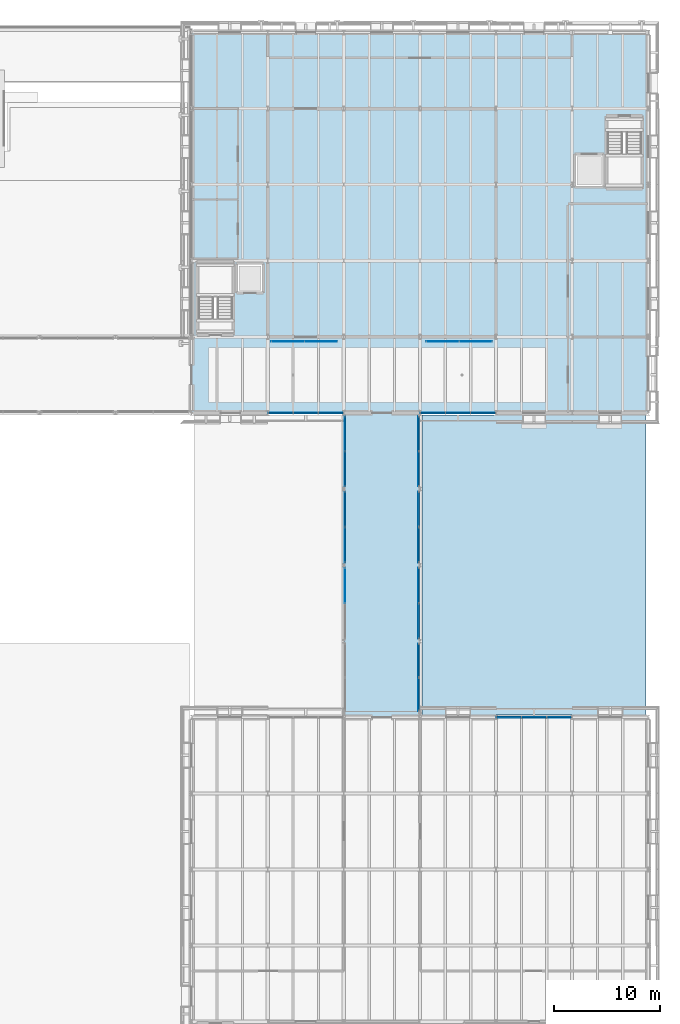
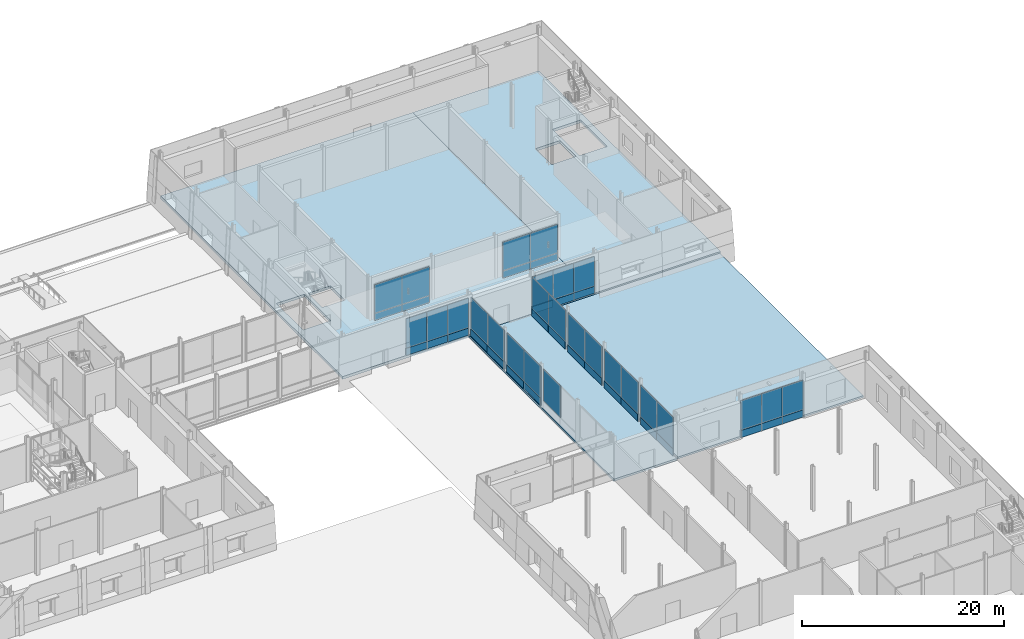
# One storey, part 63 of 120: 51 plates, 4 slabs, 12 elements without a shape of their own.
"""IFC4 building model written with IfcOpenShell, lengths in metres."""

from ifc_helpers import new_model, si_unit, direction, frame, origin, origin_2d, place, context, subcontext, project, spatial, polyline, rectangle, outline, extrude, material, layer, layer_set, type_object, element, aggregate, save


model = new_model("IFC4")

# Units and contexts
model_context = context("Model", 3, precision=1e-05, world=origin(), true_north=direction((0.0, 1.0)))
body_context = subcontext(model_context, "Body", "Model", "MODEL_VIEW")
ifc_project = project(units=[si_unit("LENGTHUNIT", "METRE"), si_unit("AREAUNIT", "SQUARE_METRE"), si_unit("VOLUMEUNIT", "CUBIC_METRE"), si_unit("PLANEANGLEUNIT", "RADIAN"), si_unit("MASSUNIT", "GRAM", prefix="KILO")], contexts=[model_context])

# Site, building, storey
site_placement = place(None, origin())
site = spatial("IfcSite", under=ifc_project, at=site_placement, CompositionType="ELEMENT")
building_placement = place(site_placement, origin())
building = spatial("IfcBuilding", under=site, at=building_placement, Name="Narikvali Park Central Library", CompositionType="ELEMENT")
storey_placement = place(building_placement, origin())
storey = spatial("IfcBuildingStorey", under=building, at=storey_placement, Name="L00", CompositionType="ELEMENT", Elevation=0.0)

# Slab
ifc_material_1 = material(Name="Concrete C40/50", Category="concrete")
ifc_layer_1 = layer(ifc_material_1, 0.25, Name="Concrete C40/50")
ifc_layer_set_1 = layer_set([ifc_layer_1], Name="Concrete C40/50")
slab_type_1 = type_object("IfcSlabType", Name="Bridge Sliding Deck Slab 250", PredefinedType="FLOOR", material=ifc_layer_set_1)
slab_1_placement = place(storey_placement, frame((0.0, 0.0, -0.25)))
element("IfcSlab", 1, at=slab_1_placement, inside=storey, type_object=slab_type_1, Name="BRG-4 L00 Covered Bridge Deck", PredefinedType="FLOOR", context=body_context, shape_type="SweptSolid", body=[
    extrude(outline(polyline([(136.800048828125, 50.43994140625), (144.0, 50.43994140625), (144.0, 79.159912109375), (136.800048828125, 79.159912109375), (136.800048828125, 50.43994140625)])), origin(), (0.0, 0.0, 1.0), 0.25),
])

# Curtain wall, plate
ifc_material_2 = material(Name="Anodised Bronze Aluminium", Category="aluminium")
ifc_layer_2 = layer(ifc_material_2, 0.219970703125, Name="Anodised Bronze Aluminium")
ifc_layer_set_2 = layer_set([ifc_layer_2], Name="Anodised Bronze Aluminium")
curtain_wall_type_1 = type_object("IfcCurtainWallType", Name="Atrium Tall Curtain Wall System", PredefinedType="NOTDEFINED", material=ifc_layer_set_2)
curtain_wall_1_placement = place(storey_placement, origin())
curtain_wall_1 = element("IfcCurtainWall", 2, at=curtain_wall_1_placement, inside=storey, type_object=curtain_wall_type_1, Name="Atrium Tall Curtain Wall System CW-V3-L00-S-02", PredefinedType="NOTDEFINED")
ifc_material_3 = material(Name="Anodised Bronze Acoustic Spandrel Cassette")
ifc_layer_3 = layer(ifc_material_3, 0.1650390625, Name="Anodised Bronze Acoustic Spandrel Cassette")
ifc_layer_set_3 = layer_set([ifc_layer_3], Name="Anodised Bronze Acoustic Spandrel Cassette")
plate_type_1 = type_object("IfcPlateType", Name="Curtain Wall Acoustic Plenum Louvre Cassette 165", PredefinedType="CURTAIN_PANEL", material=ifc_layer_set_3)
plate_1_placement = place(storey_placement, frame((135.57470703125, 79.199951171875, 0.03515625), z_axis=(0.0, 0.0, 1.0), x_axis=(1.0, 0.0, 0.0)))
plate_1 = element("IfcPlate", 3, at=plate_1_placement, type_object=plate_type_1, Name="CW-V3-L00-S-02 Panel 02-0", PredefinedType="CURTAIN_PANEL", context=body_context, shape_type="SweptSolid", body=[
    extrude(rectangle(XDim=2.36474609375, YDim=0.1650390625, at=origin_2d()), origin(), (0.0, 0.0, 1.0), 0.860107421875),
])

curtain_wall_2_placement = place(storey_placement, origin())
curtain_wall_2 = element("IfcCurtainWall", 4, at=curtain_wall_2_placement, inside=storey, type_object=curtain_wall_type_1, Name="Atrium Tall Curtain Wall System CW-V3-L00-S-04", PredefinedType="NOTDEFINED")
plate_2_placement = place(storey_placement, frame((147.60009765625, 79.199951171875, 0.03515625), z_axis=(0.0, 0.0, 1.0), x_axis=(1.0, 0.0, 0.0)))
plate_2 = element("IfcPlate", 5, at=plate_2_placement, type_object=plate_type_1, Name="CW-V3-L00-S-04 Panel 01-0", PredefinedType="CURTAIN_PANEL", context=body_context, shape_type="SweptSolid", body=[
    extrude(rectangle(XDim=2.36474609375, YDim=0.1650390625, at=origin_2d()), origin(), (0.0, 0.0, 1.0), 0.860107421875),
])

ifc_layer_4 = layer(ifc_material_2, 0.219970703125, Name="Anodised Bronze Aluminium")
ifc_layer_set_4 = layer_set([ifc_layer_4], Name="Anodised Bronze Aluminium")
curtain_wall_type_2 = type_object("IfcCurtainWallType", Name="Park Cafe Colonnade Glazing System", PredefinedType="NOTDEFINED", material=ifc_layer_set_4)
curtain_wall_3_placement = place(storey_placement, origin())
curtain_wall_3 = element("IfcCurtainWall", 6, at=curtain_wall_3_placement, inside=storey, type_object=curtain_wall_type_2, Name="Park Cafe Colonnade Glazing System CW-V6-L00-N-02", PredefinedType="NOTDEFINED")
plate_3_placement = place(storey_placement, frame((152.42529296875, 50.39990234375, 0.03515625), z_axis=(0.0, 0.0, 1.0), x_axis=(-1.0, 0.0, 0.0)))
plate_3 = element("IfcPlate", 7, at=plate_3_placement, type_object=plate_type_1, Name="CW-V6-L00-N-02 Panel 02-0", PredefinedType="CURTAIN_PANEL", context=body_context, shape_type="SweptSolid", body=[
    extrude(rectangle(XDim=2.36474609375, YDim=0.1650390625, at=origin_2d()), origin(), (0.0, 0.0, 1.0), 0.860107421875),
])

ifc_layer_5 = layer(ifc_material_2, 0.219970703125, Name="Anodised Bronze Aluminium")
ifc_layer_set_5 = layer_set([ifc_layer_5], Name="Anodised Bronze Aluminium")
curtain_wall_type_3 = type_object("IfcCurtainWallType", Name="Bridge Covered Passage Glazing System", PredefinedType="NOTDEFINED", material=ifc_layer_set_5)
curtain_wall_4_placement = place(storey_placement, origin())
curtain_wall_4 = element("IfcCurtainWall", 8, at=curtain_wall_4_placement, inside=storey, type_object=curtain_wall_type_3, Name="Bridge Covered Passage Glazing System CW-BRG-4-L00-E2", PredefinedType="NOTDEFINED")
plate_4_placement = place(storey_placement, frame((143.8798828125, 59.52001953125, 0.03515625), z_axis=(0.0, 0.0, 1.0), x_axis=(0.0, 1.0, 0.0)))
plate_4 = element("IfcPlate", 9, at=plate_4_placement, type_object=plate_type_1, Name="CW-BRG-4-L00-E2 Panel 00-0", PredefinedType="CURTAIN_PANEL", context=body_context, shape_type="SweptSolid", body=[
    extrude(rectangle(XDim=3.35009765625, YDim=0.1650390625, at=origin_2d()), origin(), (0.0, 0.0, 1.0), 0.860107421875),
])

curtain_wall_5_placement = place(storey_placement, origin())
curtain_wall_5 = element("IfcCurtainWall", 10, at=curtain_wall_5_placement, inside=storey, type_object=curtain_wall_type_3, Name="Bridge Covered Passage Glazing System CW-BRG-4-L00-E3", PredefinedType="NOTDEFINED")
plate_5_placement = place(storey_placement, frame((143.8798828125, 70.080078125, 0.03515625), z_axis=(0.0, 0.0, 1.0), x_axis=(0.0, 1.0, 0.0)))
plate_5 = element("IfcPlate", 11, at=plate_5_placement, type_object=plate_type_1, Name="CW-BRG-4-L00-E3 Panel 01-0", PredefinedType="CURTAIN_PANEL", context=body_context, shape_type="SweptSolid", body=[
    extrude(rectangle(XDim=3.35009765625, YDim=0.1650390625, at=origin_2d()), origin(), (0.0, 0.0, 1.0), 0.860107421875),
])

curtain_wall_6_placement = place(storey_placement, origin())
curtain_wall_6 = element("IfcCurtainWall", 12, at=curtain_wall_6_placement, inside=storey, type_object=curtain_wall_type_3, Name="Bridge Covered Passage Glazing System CW-BRG-4-L00-W4", PredefinedType="NOTDEFINED")
plate_6_placement = place(storey_placement, frame((136.919921875, 73.905029296875, 0.03515625), z_axis=(0.0, 0.0, 1.0), x_axis=(0.0, 1.0, 0.0)))
plate_6 = element("IfcPlate", 13, at=plate_6_placement, type_object=plate_type_1, Name="CW-BRG-4-L00-W4 Panel 00-0", PredefinedType="CURTAIN_PANEL", context=body_context, shape_type="SweptSolid", body=[
    extrude(rectangle(XDim=3.320068359375, YDim=0.1650390625, at=origin_2d()), origin(), (0.0, 0.0, 1.0), 0.860107421875),
])

# Plate
ifc_material_4 = material(Name="Heavy Acoustic Laminated Clerestory Glazing", Category="glass")
ifc_layer_6 = layer(ifc_material_4, 0.06396484375, Name="Heavy Acoustic Laminated Clerestory Glazing")
ifc_layer_set_6 = layer_set([ifc_layer_6], Name="Heavy Acoustic Laminated Clerestory Glazing")
plate_type_2 = type_object("IfcPlateType", Name="Curtain Wall Clerestory Laminated Acoustic Glass 64", PredefinedType="CURTAIN_PANEL", material=ifc_layer_set_6)
plate_7_placement = place(storey_placement, frame((145.225341796875, 79.199951171875, 0.905029296875), z_axis=(0.0, 0.0, 1.0), x_axis=(1.0, 0.0, 0.0)))
plate_7 = element("IfcPlate", 14, at=plate_7_placement, type_object=plate_type_2, Name="CW-V3-L00-S-04 Panel 00-1", PredefinedType="CURTAIN_PANEL", context=body_context, shape_type="SweptSolid", body=[
    extrude(rectangle(XDim=2.36474609375, YDim=0.06396484375, at=origin_2d()), origin(), (0.0, 0.0, 1.0), 3.56005859375),
])

plate_8_placement = place(storey_placement, frame((147.60009765625, 79.199951171875, 0.905029296875), z_axis=(0.0, 0.0, 1.0), x_axis=(1.0, 0.0, 0.0)))
plate_8 = element("IfcPlate", 15, at=plate_8_placement, type_object=plate_type_2, Name="CW-V3-L00-S-04 Panel 01-1", PredefinedType="CURTAIN_PANEL", context=body_context, shape_type="SweptSolid", body=[
    extrude(rectangle(XDim=2.36474609375, YDim=0.06396484375, at=origin_2d()), origin(), (0.0, 0.0, 1.0), 3.56005859375),
])

plate_9_placement = place(storey_placement, frame((149.974609375, 79.199951171875, 0.905029296875), z_axis=(0.0, 0.0, 1.0), x_axis=(1.0, 0.0, 0.0)))
plate_9 = element("IfcPlate", 16, at=plate_9_placement, type_object=plate_type_2, Name="CW-V3-L00-S-04 Panel 02-1", PredefinedType="CURTAIN_PANEL", context=body_context, shape_type="SweptSolid", body=[
    extrude(rectangle(XDim=2.36474609375, YDim=0.06396484375, at=origin_2d()), origin(), (0.0, 0.0, 1.0), 3.56005859375),
])

# Curtain wall, plate
curtain_wall_7_placement = place(storey_placement, origin())
curtain_wall_7 = element("IfcCurtainWall", 17, at=curtain_wall_7_placement, inside=storey, type_object=curtain_wall_type_3, Name="Bridge Covered Passage Glazing System CW-BRG-4-L00-W2", PredefinedType="NOTDEFINED")
plate_10_placement = place(storey_placement, frame((136.919921875, 62.8798828125, 0.905029296875), z_axis=(0.0, 0.0, 1.0), x_axis=(0.0, 1.0, 0.0)))
plate_10 = element("IfcPlate", 18, at=plate_10_placement, type_object=plate_type_2, Name="CW-BRG-4-L00-W2 Panel 01-1", PredefinedType="CURTAIN_PANEL", context=body_context, shape_type="SweptSolid", body=[
    extrude(rectangle(XDim=3.35009765625, YDim=0.06396484375, at=origin_2d()), origin(), (0.0, 0.0, 1.0), 3.81005859375),
])
aggregate(curtain_wall_7, [plate_10])

# Plate
plate_11_placement = place(storey_placement, frame((143.8798828125, 66.719970703125, 0.905029296875), z_axis=(0.0, 0.0, 1.0), x_axis=(0.0, 1.0, 0.0)))
plate_11 = element("IfcPlate", 19, at=plate_11_placement, type_object=plate_type_2, Name="CW-BRG-4-L00-E3 Panel 00-1", PredefinedType="CURTAIN_PANEL", context=body_context, shape_type="SweptSolid", body=[
    extrude(rectangle(XDim=3.35009765625, YDim=0.06396484375, at=origin_2d()), origin(), (0.0, 0.0, 1.0), 3.81005859375),
])

plate_12_placement = place(storey_placement, frame((143.8798828125, 70.080078125, 0.905029296875), z_axis=(0.0, 0.0, 1.0), x_axis=(0.0, 1.0, 0.0)))
plate_12 = element("IfcPlate", 20, at=plate_12_placement, type_object=plate_type_2, Name="CW-BRG-4-L00-E3 Panel 01-1", PredefinedType="CURTAIN_PANEL", context=body_context, shape_type="SweptSolid", body=[
    extrude(rectangle(XDim=3.35009765625, YDim=0.06396484375, at=origin_2d()), origin(), (0.0, 0.0, 1.0), 3.81005859375),
])

# Curtain wall, plates
curtain_wall_8_placement = place(storey_placement, origin())
curtain_wall_8 = element("IfcCurtainWall", 21, at=curtain_wall_8_placement, inside=storey, type_object=curtain_wall_type_1, Name="Atrium Tall Curtain Wall System CW-GAL-V3-L00-FOY-N1", PredefinedType="NOTDEFINED")
plate_13_placement = place(storey_placement, frame((131.512451171875, 85.949951171875, 0.905029296875), z_axis=(0.0, 0.0, 1.0), x_axis=(1.0, 0.0, 0.0)))
plate_13 = element("IfcPlate", 22, at=plate_13_placement, type_object=plate_type_2, Name="CW-GAL-V3-L00-FOY-N1 Panel 00-1", PredefinedType="CURTAIN_PANEL", context=body_context, shape_type="SweptSolid", body=[
    extrude(rectangle(XDim=3.114990234375, YDim=0.06396484375, at=origin_2d()), origin(), (0.0, 0.0, 1.0), 3.4599609375),
])
plate_14_placement = place(storey_placement, frame((134.637451171875, 85.949951171875, 0.905029296875), z_axis=(0.0, 0.0, 1.0), x_axis=(1.0, 0.0, 0.0)))
plate_14 = element("IfcPlate", 23, at=plate_14_placement, type_object=plate_type_2, Name="CW-GAL-V3-L00-FOY-N1 Panel 01-1", PredefinedType="CURTAIN_PANEL", context=body_context, shape_type="SweptSolid", body=[
    extrude(rectangle(XDim=3.114990234375, YDim=0.06396484375, at=origin_2d()), origin(), (0.0, 0.0, 1.0), 3.4599609375),
])

curtain_wall_9_placement = place(storey_placement, origin())
curtain_wall_9 = element("IfcCurtainWall", 24, at=curtain_wall_9_placement, inside=storey, type_object=curtain_wall_type_1, Name="Atrium Tall Curtain Wall System CW-GAL-V3-L00-FOY-N2", PredefinedType="NOTDEFINED")
plate_15_placement = place(storey_placement, frame((146.16259765625, 85.949951171875, 0.03515625), z_axis=(0.0, 0.0, 1.0), x_axis=(1.0, 0.0, 0.0)))
plate_15 = element("IfcPlate", 25, at=plate_15_placement, type_object=plate_type_2, Name="CW-GAL-V3-L00-FOY-N2 Panel 00-0", PredefinedType="CURTAIN_PANEL", context=body_context, shape_type="SweptSolid", body=[
    extrude(rectangle(XDim=3.114990234375, YDim=0.06396484375, at=origin_2d()), origin(), (0.0, 0.0, 1.0), 0.860107421875),
])
plate_16_placement = place(storey_placement, frame((149.28759765625, 85.949951171875, 0.03515625), z_axis=(0.0, 0.0, 1.0), x_axis=(1.0, 0.0, 0.0)))
plate_16 = element("IfcPlate", 26, at=plate_16_placement, type_object=plate_type_2, Name="CW-GAL-V3-L00-FOY-N2 Panel 01-0", PredefinedType="CURTAIN_PANEL", context=body_context, shape_type="SweptSolid", body=[
    extrude(rectangle(XDim=3.114990234375, YDim=0.06396484375, at=origin_2d()), origin(), (0.0, 0.0, 1.0), 0.860107421875),
])

# Plate
ifc_material_5 = material(Name="Double Low-E Tempered Vision Glazing", Category="glass")
ifc_layer_7 = layer(ifc_material_5, 0.035888671875, Name="Double Low-E Tempered Vision Glazing")
ifc_layer_set_7 = layer_set([ifc_layer_7], Name="Double Low-E Tempered Vision Glazing")
plate_type_3 = type_object("IfcPlateType", Name="Curtain Wall Double Low-E Vision Glazing 36", PredefinedType="CURTAIN_PANEL", material=ifc_layer_set_7)
plate_17_placement = place(storey_placement, frame((143.8798828125, 59.52001953125, 0.905029296875), z_axis=(0.0, 0.0, 1.0), x_axis=(0.0, 1.0, 0.0)))
plate_17 = element("IfcPlate", 27, at=plate_17_placement, type_object=plate_type_3, Name="CW-BRG-4-L00-E2 Panel 00-1", PredefinedType="CURTAIN_PANEL", context=body_context, shape_type="SweptSolid", body=[
    extrude(rectangle(XDim=3.35009765625, YDim=0.035888671875, at=origin_2d()), origin(), (0.0, 0.0, 1.0), 3.81005859375),
])

plate_18_placement = place(storey_placement, frame((143.8798828125, 62.8798828125, 0.905029296875), z_axis=(0.0, 0.0, 1.0), x_axis=(0.0, 1.0, 0.0)))
plate_18 = element("IfcPlate", 28, at=plate_18_placement, type_object=plate_type_3, Name="CW-BRG-4-L00-E2 Panel 01-1", PredefinedType="CURTAIN_PANEL", context=body_context, shape_type="SweptSolid", body=[
    extrude(rectangle(XDim=3.35009765625, YDim=0.035888671875, at=origin_2d()), origin(), (0.0, 0.0, 1.0), 3.81005859375),
])

plate_19_placement = place(storey_placement, frame((136.919921875, 73.905029296875, 0.905029296875), z_axis=(0.0, 0.0, 1.0), x_axis=(0.0, 1.0, 0.0)))
plate_19 = element("IfcPlate", 29, at=plate_19_placement, type_object=plate_type_3, Name="CW-BRG-4-L00-W4 Panel 00-1", PredefinedType="CURTAIN_PANEL", context=body_context, shape_type="SweptSolid", body=[
    extrude(rectangle(XDim=3.320068359375, YDim=0.035888671875, at=origin_2d()), origin(), (0.0, 0.0, 1.0), 3.81005859375),
])

plate_20_placement = place(storey_placement, frame((136.919921875, 77.235107421875, 0.905029296875), z_axis=(0.0, 0.0, 1.0), x_axis=(0.0, 1.0, 0.0)))
plate_20 = element("IfcPlate", 30, at=plate_20_placement, type_object=plate_type_3, Name="CW-BRG-4-L00-W4 Panel 01-1", PredefinedType="CURTAIN_PANEL", context=body_context, shape_type="SweptSolid", body=[
    extrude(rectangle(XDim=3.320068359375, YDim=0.035888671875, at=origin_2d()), origin(), (0.0, 0.0, 1.0), 3.81005859375),
])

plate_21_placement = place(storey_placement, frame((146.16259765625, 85.949951171875, 0.905029296875), z_axis=(0.0, 0.0, 1.0), x_axis=(1.0, 0.0, 0.0)))
plate_21 = element("IfcPlate", 31, at=plate_21_placement, type_object=plate_type_3, Name="CW-GAL-V3-L00-FOY-N2 Panel 00-1", PredefinedType="CURTAIN_PANEL", context=body_context, shape_type="SweptSolid", body=[
    extrude(rectangle(XDim=3.114990234375, YDim=0.035888671875, at=origin_2d()), origin(), (0.0, 0.0, 1.0), 3.4599609375),
])

plate_22_placement = place(storey_placement, frame((149.28759765625, 85.949951171875, 0.905029296875), z_axis=(0.0, 0.0, 1.0), x_axis=(1.0, 0.0, 0.0)))
plate_22 = element("IfcPlate", 32, at=plate_22_placement, type_object=plate_type_3, Name="CW-GAL-V3-L00-FOY-N2 Panel 01-1", PredefinedType="CURTAIN_PANEL", context=body_context, shape_type="SweptSolid", body=[
    extrude(rectangle(XDim=3.114990234375, YDim=0.035888671875, at=origin_2d()), origin(), (0.0, 0.0, 1.0), 3.4599609375),
])

aggregate(curtain_wall_9, [plate_15, plate_21, plate_16, plate_22])

ifc_material_6 = material(Name="Anodised Bronze Insulated Spandrel Cassette")
ifc_layer_8 = layer(ifc_material_6, 0.110107421875, Name="Anodised Bronze Insulated Spandrel Cassette")
ifc_layer_set_8 = layer_set([ifc_layer_8], Name="Anodised Bronze Insulated Spandrel Cassette")
plate_type_4 = type_object("IfcPlateType", Name="Curtain Wall Insulated Bronze Spandrel Cassette 110", PredefinedType="CURTAIN_PANEL", material=ifc_layer_set_8)
plate_23_placement = place(storey_placement, frame((130.8251953125, 79.199951171875, 0.03515625), z_axis=(0.0, 0.0, 1.0), x_axis=(1.0, 0.0, 0.0)))
plate_23 = element("IfcPlate", 33, at=plate_23_placement, type_object=plate_type_4, Name="CW-V3-L00-S-02 Panel 00-0", PredefinedType="CURTAIN_PANEL", context=body_context, shape_type="SweptSolid", body=[
    extrude(rectangle(XDim=2.36474609375, YDim=0.110107421875, at=origin_2d()), origin(), (0.0, 0.0, 1.0), 0.860107421875),
])

plate_24_placement = place(storey_placement, frame((149.974609375, 79.199951171875, 0.03515625), z_axis=(0.0, 0.0, 1.0), x_axis=(1.0, 0.0, 0.0)))
plate_24 = element("IfcPlate", 34, at=plate_24_placement, type_object=plate_type_4, Name="CW-V3-L00-S-04 Panel 02-0", PredefinedType="CURTAIN_PANEL", context=body_context, shape_type="SweptSolid", body=[
    extrude(rectangle(XDim=2.36474609375, YDim=0.110107421875, at=origin_2d()), origin(), (0.0, 0.0, 1.0), 0.860107421875),
])

plate_25_placement = place(storey_placement, frame((157.1748046875, 50.39990234375, 0.03515625), z_axis=(0.0, 0.0, 1.0), x_axis=(-1.0, 0.0, 0.0)))
plate_25 = element("IfcPlate", 35, at=plate_25_placement, type_object=plate_type_4, Name="CW-V6-L00-N-02 Panel 00-0", PredefinedType="CURTAIN_PANEL", context=body_context, shape_type="SweptSolid", body=[
    extrude(rectangle(XDim=2.36474609375, YDim=0.110107421875, at=origin_2d()), origin(), (0.0, 0.0, 1.0), 0.860107421875),
])

# Curtain wall, plate
curtain_wall_10_placement = place(storey_placement, origin())
curtain_wall_10 = element("IfcCurtainWall", 36, at=curtain_wall_10_placement, inside=storey, type_object=curtain_wall_type_3, Name="Bridge Covered Passage Glazing System CW-BRG-4-L00-E1", PredefinedType="NOTDEFINED")
plate_26_placement = place(storey_placement, frame((143.8798828125, 52.552490234375, 0.03515625), z_axis=(0.0, 0.0, 1.0), x_axis=(0.0, 1.0, 0.0)))
plate_26 = element("IfcPlate", 37, at=plate_26_placement, type_object=plate_type_4, Name="CW-BRG-4-L00-E1 Panel 00-0", PredefinedType="CURTAIN_PANEL", context=body_context, shape_type="SweptSolid", body=[
    extrude(rectangle(XDim=3.195068359375, YDim=0.110107421875, at=origin_2d()), origin(), (0.0, 0.0, 1.0), 0.860107421875),
])

# Plate
plate_27_placement = place(storey_placement, frame((143.8798828125, 62.8798828125, 0.03515625), z_axis=(0.0, 0.0, 1.0), x_axis=(0.0, 1.0, 0.0)))
plate_27 = element("IfcPlate", 38, at=plate_27_placement, type_object=plate_type_4, Name="CW-BRG-4-L00-E2 Panel 01-0", PredefinedType="CURTAIN_PANEL", context=body_context, shape_type="SweptSolid", body=[
    extrude(rectangle(XDim=3.35009765625, YDim=0.110107421875, at=origin_2d()), origin(), (0.0, 0.0, 1.0), 0.860107421875),
])

aggregate(curtain_wall_4, [plate_4, plate_17, plate_27, plate_18])

# Curtain wall, plate
curtain_wall_11_placement = place(storey_placement, origin())
curtain_wall_11 = element("IfcCurtainWall", 39, at=curtain_wall_11_placement, inside=storey, type_object=curtain_wall_type_3, Name="Bridge Covered Passage Glazing System CW-BRG-4-L00-W3", PredefinedType="NOTDEFINED")
plate_28_placement = place(storey_placement, frame((136.919921875, 66.719970703125, 0.03515625), z_axis=(0.0, 0.0, 1.0), x_axis=(0.0, 1.0, 0.0)))
plate_28 = element("IfcPlate", 40, at=plate_28_placement, type_object=plate_type_4, Name="CW-BRG-4-L00-W3 Panel 00-0", PredefinedType="CURTAIN_PANEL", context=body_context, shape_type="SweptSolid", body=[
    extrude(rectangle(XDim=3.35009765625, YDim=0.110107421875, at=origin_2d()), origin(), (0.0, 0.0, 1.0), 0.860107421875),
])

# Plate
plate_29_placement = place(storey_placement, frame((136.919921875, 77.235107421875, 0.03515625), z_axis=(0.0, 0.0, 1.0), x_axis=(0.0, 1.0, 0.0)))
plate_29 = element("IfcPlate", 41, at=plate_29_placement, type_object=plate_type_4, Name="CW-BRG-4-L00-W4 Panel 01-0", PredefinedType="CURTAIN_PANEL", context=body_context, shape_type="SweptSolid", body=[
    extrude(rectangle(XDim=3.320068359375, YDim=0.110107421875, at=origin_2d()), origin(), (0.0, 0.0, 1.0), 0.860107421875),
])

aggregate(curtain_wall_6, [plate_6, plate_19, plate_29, plate_20])

# Curtain wall, plate
curtain_wall_12_placement = place(storey_placement, origin())
curtain_wall_12 = element("IfcCurtainWall", 42, at=curtain_wall_12_placement, inside=storey, type_object=curtain_wall_type_3, Name="Bridge Covered Passage Glazing System CW-BRG-4-L00-E4", PredefinedType="NOTDEFINED")
plate_30_placement = place(storey_placement, frame((143.8798828125, 73.905029296875, 0.03515625), z_axis=(0.0, 0.0, 1.0), x_axis=(0.0, 1.0, 0.0)))
plate_30 = element("IfcPlate", 43, at=plate_30_placement, type_object=plate_type_4, Name="CW-BRG-4-L00-E4 Panel 00-0", PredefinedType="CURTAIN_PANEL", context=body_context, shape_type="SweptSolid", body=[
    extrude(rectangle(XDim=3.320068359375, YDim=0.110107421875, at=origin_2d()), origin(), (0.0, 0.0, 1.0), 0.860107421875),
])

# Plate
ifc_material_7 = material(Name="Mineral-Wool Shadow-Box Spandrel Assembly")
ifc_layer_9 = layer(ifc_material_7, 0.139892578125, Name="Mineral-Wool Shadow-Box Spandrel Assembly")
ifc_layer_set_9 = layer_set([ifc_layer_9], Name="Mineral-Wool Shadow-Box Spandrel Assembly")
plate_type_5 = type_object("IfcPlateType", Name="Curtain Wall Shadow-Box Mineral Spandrel Panel 140", PredefinedType="CURTAIN_PANEL", material=ifc_layer_set_9)
plate_31_placement = place(storey_placement, frame((133.199951171875, 79.199951171875, 0.03515625), z_axis=(0.0, 0.0, 1.0), x_axis=(1.0, 0.0, 0.0)))
plate_31 = element("IfcPlate", 44, at=plate_31_placement, type_object=plate_type_5, Name="CW-V3-L00-S-02 Panel 01-0", PredefinedType="CURTAIN_PANEL", context=body_context, shape_type="SweptSolid", body=[
    extrude(rectangle(XDim=2.36474609375, YDim=0.139892578125, at=origin_2d()), origin(), (0.0, 0.0, 1.0), 0.860107421875),
])

plate_32_placement = place(storey_placement, frame((145.225341796875, 79.199951171875, 0.03515625), z_axis=(0.0, 0.0, 1.0), x_axis=(1.0, 0.0, 0.0)))
plate_32 = element("IfcPlate", 45, at=plate_32_placement, type_object=plate_type_5, Name="CW-V3-L00-S-04 Panel 00-0", PredefinedType="CURTAIN_PANEL", context=body_context, shape_type="SweptSolid", body=[
    extrude(rectangle(XDim=2.36474609375, YDim=0.139892578125, at=origin_2d()), origin(), (0.0, 0.0, 1.0), 0.860107421875),
])

aggregate(curtain_wall_2, [plate_32, plate_7, plate_2, plate_8, plate_24, plate_9])

plate_33_placement = place(storey_placement, frame((154.800048828125, 50.39990234375, 0.03515625), z_axis=(0.0, 0.0, 1.0), x_axis=(-1.0, 0.0, 0.0)))
plate_33 = element("IfcPlate", 46, at=plate_33_placement, type_object=plate_type_5, Name="CW-V6-L00-N-02 Panel 01-0", PredefinedType="CURTAIN_PANEL", context=body_context, shape_type="SweptSolid", body=[
    extrude(rectangle(XDim=2.36474609375, YDim=0.139892578125, at=origin_2d()), origin(), (0.0, 0.0, 1.0), 0.860107421875),
])

plate_34_placement = place(storey_placement, frame((143.8798828125, 55.757568359375, 0.03515625), z_axis=(0.0, 0.0, 1.0), x_axis=(0.0, 1.0, 0.0)))
plate_34 = element("IfcPlate", 47, at=plate_34_placement, type_object=plate_type_5, Name="CW-BRG-4-L00-E1 Panel 01-0", PredefinedType="CURTAIN_PANEL", context=body_context, shape_type="SweptSolid", body=[
    extrude(rectangle(XDim=3.195068359375, YDim=0.139892578125, at=origin_2d()), origin(), (0.0, 0.0, 1.0), 0.860107421875),
])

plate_35_placement = place(storey_placement, frame((136.919921875, 70.080078125, 0.03515625), z_axis=(0.0, 0.0, 1.0), x_axis=(0.0, 1.0, 0.0)))
plate_35 = element("IfcPlate", 48, at=plate_35_placement, type_object=plate_type_5, Name="CW-BRG-4-L00-W3 Panel 01-0", PredefinedType="CURTAIN_PANEL", context=body_context, shape_type="SweptSolid", body=[
    extrude(rectangle(XDim=3.35009765625, YDim=0.139892578125, at=origin_2d()), origin(), (0.0, 0.0, 1.0), 0.860107421875),
])

plate_36_placement = place(storey_placement, frame((143.8798828125, 66.719970703125, 0.03515625), z_axis=(0.0, 0.0, 1.0), x_axis=(0.0, 1.0, 0.0)))
plate_36 = element("IfcPlate", 49, at=plate_36_placement, type_object=plate_type_5, Name="CW-BRG-4-L00-E3 Panel 00-0", PredefinedType="CURTAIN_PANEL", context=body_context, shape_type="SweptSolid", body=[
    extrude(rectangle(XDim=3.35009765625, YDim=0.139892578125, at=origin_2d()), origin(), (0.0, 0.0, 1.0), 0.860107421875),
])

aggregate(curtain_wall_5, [plate_36, plate_11, plate_5, plate_12])

plate_37_placement = place(storey_placement, frame((143.8798828125, 77.235107421875, 0.03515625), z_axis=(0.0, 0.0, 1.0), x_axis=(0.0, 1.0, 0.0)))
plate_37 = element("IfcPlate", 50, at=plate_37_placement, type_object=plate_type_5, Name="CW-BRG-4-L00-E4 Panel 01-0", PredefinedType="CURTAIN_PANEL", context=body_context, shape_type="SweptSolid", body=[
    extrude(rectangle(XDim=3.320068359375, YDim=0.139892578125, at=origin_2d()), origin(), (0.0, 0.0, 1.0), 0.860107421875),
])

ifc_material_8 = material(Name="Triple Low-E Acoustic Laminated Glazing", Category="glass")
ifc_layer_10 = layer(ifc_material_8, 0.048095703125, Name="Triple Low-E Acoustic Laminated Glazing")
ifc_layer_set_10 = layer_set([ifc_layer_10], Name="Triple Low-E Acoustic Laminated Glazing")
plate_type_6 = type_object("IfcPlateType", Name="Curtain Wall Triple Solar-Acoustic Glazing 48", PredefinedType="CURTAIN_PANEL", material=ifc_layer_set_10)
plate_38_placement = place(storey_placement, frame((130.8251953125, 79.199951171875, 0.905029296875), z_axis=(0.0, 0.0, 1.0), x_axis=(1.0, 0.0, 0.0)))
plate_38 = element("IfcPlate", 51, at=plate_38_placement, type_object=plate_type_6, Name="CW-V3-L00-S-02 Panel 00-1", PredefinedType="CURTAIN_PANEL", context=body_context, shape_type="SweptSolid", body=[
    extrude(rectangle(XDim=2.36474609375, YDim=0.048095703125, at=origin_2d()), origin(), (0.0, 0.0, 1.0), 3.56005859375),
])

plate_39_placement = place(storey_placement, frame((133.199951171875, 79.199951171875, 0.905029296875), z_axis=(0.0, 0.0, 1.0), x_axis=(1.0, 0.0, 0.0)))
plate_39 = element("IfcPlate", 52, at=plate_39_placement, type_object=plate_type_6, Name="CW-V3-L00-S-02 Panel 01-1", PredefinedType="CURTAIN_PANEL", context=body_context, shape_type="SweptSolid", body=[
    extrude(rectangle(XDim=2.36474609375, YDim=0.048095703125, at=origin_2d()), origin(), (0.0, 0.0, 1.0), 3.56005859375),
])

plate_40_placement = place(storey_placement, frame((135.57470703125, 79.199951171875, 0.905029296875), z_axis=(0.0, 0.0, 1.0), x_axis=(1.0, 0.0, 0.0)))
plate_40 = element("IfcPlate", 53, at=plate_40_placement, type_object=plate_type_6, Name="CW-V3-L00-S-02 Panel 02-1", PredefinedType="CURTAIN_PANEL", context=body_context, shape_type="SweptSolid", body=[
    extrude(rectangle(XDim=2.36474609375, YDim=0.048095703125, at=origin_2d()), origin(), (0.0, 0.0, 1.0), 3.56005859375),
])

aggregate(curtain_wall_1, [plate_23, plate_38, plate_31, plate_39, plate_1, plate_40])

plate_41_placement = place(storey_placement, frame((157.1748046875, 50.39990234375, 0.905029296875), z_axis=(0.0, 0.0, 1.0), x_axis=(-1.0, 0.0, 0.0)))
plate_41 = element("IfcPlate", 54, at=plate_41_placement, type_object=plate_type_6, Name="CW-V6-L00-N-02 Panel 00-1", PredefinedType="CURTAIN_PANEL", context=body_context, shape_type="SweptSolid", body=[
    extrude(rectangle(XDim=2.36474609375, YDim=0.048095703125, at=origin_2d()), origin(), (0.0, 0.0, 1.0), 3.56005859375),
])

plate_42_placement = place(storey_placement, frame((154.800048828125, 50.39990234375, 0.905029296875), z_axis=(0.0, 0.0, 1.0), x_axis=(-1.0, 0.0, 0.0)))
plate_42 = element("IfcPlate", 55, at=plate_42_placement, type_object=plate_type_6, Name="CW-V6-L00-N-02 Panel 01-1", PredefinedType="CURTAIN_PANEL", context=body_context, shape_type="SweptSolid", body=[
    extrude(rectangle(XDim=2.36474609375, YDim=0.048095703125, at=origin_2d()), origin(), (0.0, 0.0, 1.0), 3.56005859375),
])

plate_43_placement = place(storey_placement, frame((152.42529296875, 50.39990234375, 0.905029296875), z_axis=(0.0, 0.0, 1.0), x_axis=(-1.0, 0.0, 0.0)))
plate_43 = element("IfcPlate", 56, at=plate_43_placement, type_object=plate_type_6, Name="CW-V6-L00-N-02 Panel 02-1", PredefinedType="CURTAIN_PANEL", context=body_context, shape_type="SweptSolid", body=[
    extrude(rectangle(XDim=2.36474609375, YDim=0.048095703125, at=origin_2d()), origin(), (0.0, 0.0, 1.0), 3.56005859375),
])

aggregate(curtain_wall_3, [plate_25, plate_41, plate_33, plate_42, plate_3, plate_43])

plate_44_placement = place(storey_placement, frame((143.8798828125, 52.552490234375, 0.905029296875), z_axis=(0.0, 0.0, 1.0), x_axis=(0.0, 1.0, 0.0)))
plate_44 = element("IfcPlate", 57, at=plate_44_placement, type_object=plate_type_6, Name="CW-BRG-4-L00-E1 Panel 00-1", PredefinedType="CURTAIN_PANEL", context=body_context, shape_type="SweptSolid", body=[
    extrude(rectangle(XDim=3.195068359375, YDim=0.048095703125, at=origin_2d()), origin(), (0.0, 0.0, 1.0), 3.81005859375),
])

plate_45_placement = place(storey_placement, frame((143.8798828125, 55.757568359375, 0.905029296875), z_axis=(0.0, 0.0, 1.0), x_axis=(0.0, 1.0, 0.0)))
plate_45 = element("IfcPlate", 58, at=plate_45_placement, type_object=plate_type_6, Name="CW-BRG-4-L00-E1 Panel 01-1", PredefinedType="CURTAIN_PANEL", context=body_context, shape_type="SweptSolid", body=[
    extrude(rectangle(XDim=3.195068359375, YDim=0.048095703125, at=origin_2d()), origin(), (0.0, 0.0, 1.0), 3.81005859375),
])

aggregate(curtain_wall_10, [plate_26, plate_44, plate_34, plate_45])

plate_46_placement = place(storey_placement, frame((136.919921875, 66.719970703125, 0.905029296875), z_axis=(0.0, 0.0, 1.0), x_axis=(0.0, 1.0, 0.0)))
plate_46 = element("IfcPlate", 59, at=plate_46_placement, type_object=plate_type_6, Name="CW-BRG-4-L00-W3 Panel 00-1", PredefinedType="CURTAIN_PANEL", context=body_context, shape_type="SweptSolid", body=[
    extrude(rectangle(XDim=3.35009765625, YDim=0.048095703125, at=origin_2d()), origin(), (0.0, 0.0, 1.0), 3.81005859375),
])

plate_47_placement = place(storey_placement, frame((136.919921875, 70.080078125, 0.905029296875), z_axis=(0.0, 0.0, 1.0), x_axis=(0.0, 1.0, 0.0)))
plate_47 = element("IfcPlate", 60, at=plate_47_placement, type_object=plate_type_6, Name="CW-BRG-4-L00-W3 Panel 01-1", PredefinedType="CURTAIN_PANEL", context=body_context, shape_type="SweptSolid", body=[
    extrude(rectangle(XDim=3.35009765625, YDim=0.048095703125, at=origin_2d()), origin(), (0.0, 0.0, 1.0), 3.81005859375),
])

aggregate(curtain_wall_11, [plate_28, plate_46, plate_35, plate_47])

plate_48_placement = place(storey_placement, frame((143.8798828125, 73.905029296875, 0.905029296875), z_axis=(0.0, 0.0, 1.0), x_axis=(0.0, 1.0, 0.0)))
plate_48 = element("IfcPlate", 61, at=plate_48_placement, type_object=plate_type_6, Name="CW-BRG-4-L00-E4 Panel 00-1", PredefinedType="CURTAIN_PANEL", context=body_context, shape_type="SweptSolid", body=[
    extrude(rectangle(XDim=3.320068359375, YDim=0.048095703125, at=origin_2d()), origin(), (0.0, 0.0, 1.0), 3.81005859375),
])

plate_49_placement = place(storey_placement, frame((143.8798828125, 77.235107421875, 0.905029296875), z_axis=(0.0, 0.0, 1.0), x_axis=(0.0, 1.0, 0.0)))
plate_49 = element("IfcPlate", 62, at=plate_49_placement, type_object=plate_type_6, Name="CW-BRG-4-L00-E4 Panel 01-1", PredefinedType="CURTAIN_PANEL", context=body_context, shape_type="SweptSolid", body=[
    extrude(rectangle(XDim=3.320068359375, YDim=0.048095703125, at=origin_2d()), origin(), (0.0, 0.0, 1.0), 3.81005859375),
])

aggregate(curtain_wall_12, [plate_30, plate_48, plate_37, plate_49])

plate_50_placement = place(storey_placement, frame((131.512451171875, 85.949951171875, 0.03515625), z_axis=(0.0, 0.0, 1.0), x_axis=(1.0, 0.0, 0.0)))
plate_50 = element("IfcPlate", 63, at=plate_50_placement, type_object=plate_type_6, Name="CW-GAL-V3-L00-FOY-N1 Panel 00-0", PredefinedType="CURTAIN_PANEL", context=body_context, shape_type="SweptSolid", body=[
    extrude(rectangle(XDim=3.114990234375, YDim=0.048095703125, at=origin_2d()), origin(), (0.0, 0.0, 1.0), 0.860107421875),
])

plate_51_placement = place(storey_placement, frame((134.637451171875, 85.949951171875, 0.03515625), z_axis=(0.0, 0.0, 1.0), x_axis=(1.0, 0.0, 0.0)))
plate_51 = element("IfcPlate", 64, at=plate_51_placement, type_object=plate_type_6, Name="CW-GAL-V3-L00-FOY-N1 Panel 01-0", PredefinedType="CURTAIN_PANEL", context=body_context, shape_type="SweptSolid", body=[
    extrude(rectangle(XDim=3.114990234375, YDim=0.048095703125, at=origin_2d()), origin(), (0.0, 0.0, 1.0), 0.860107421875),
])

aggregate(curtain_wall_8, [plate_50, plate_13, plate_51, plate_14])

# Slabs
ifc_material_9 = material(Name="Concrete C35/45", Category="concrete")
ifc_layer_11 = layer(ifc_material_9, 0.219970703125, Name="Concrete C35/45")
ifc_layer_set_11 = layer_set([ifc_layer_11], Name="Concrete C35/45")
slab_type_2 = type_object("IfcSlabType", Name="Forecourt Stepped Terrace Slab 220", PredefinedType="USERDEFINED", material=ifc_layer_set_11)
slab_2_placement = place(storey_placement, frame((0.0, 0.0, -0.219970703125)))
element("IfcSlab", 65, at=slab_2_placement, inside=storey, type_object=slab_type_2, Name="Cloister E Paving", ObjectType="PAVING", PredefinedType="USERDEFINED", context=body_context, shape_type="SweptSolid", body=[
    extrude(outline(polyline([(144.199951171875, 50.60009765625), (165.39990234375, 50.60009765625), (165.39990234375, 79.0), (144.199951171875, 79.0), (144.199951171875, 50.60009765625)])), origin(), (0.0, 0.0, 1.0), 0.219970703125),
])
ifc_layer_12 = layer(ifc_material_9, 0.320068359375, Name="Concrete C35/45")
ifc_layer_set_12 = layer_set([ifc_layer_12], Name="Concrete C35/45")
slab_type_3 = type_object("IfcSlabType", Name="Ground Plinth Composite Slab 320", PredefinedType="FLOOR", material=ifc_layer_set_12)
slab_3_placement = place(storey_placement, frame((0.0, 0.0, -0.320068359375)))
element("IfcSlab", 66, at=slab_3_placement, inside=storey, type_object=slab_type_3, Name="V3 L00 Structural Slab Panel 1", PredefinedType="FLOOR", context=body_context, shape_type="SweptSolid", body=[
    extrude(outline(polyline([(122.39990234375, 79.199951171875), (151.199951171875, 79.199951171875), (151.199951171875, 115.199951171875), (122.39990234375, 115.199951171875), (122.39990234375, 79.199951171875)]), holes=[polyline([(123.050048828125, 88.14990234375), (126.25, 88.14990234375), (126.25, 93.39990234375), (123.050048828125, 93.39990234375), (123.050048828125, 88.14990234375)]), polyline([(126.64990234375, 90.550048828125), (129.199951171875, 90.550048828125), (129.199951171875, 93.35009765625), (126.64990234375, 93.35009765625), (126.64990234375, 90.550048828125)])]), origin(), (0.0, 0.0, 1.0), 0.320068359375),
])
slab_4_placement = place(storey_placement, frame((0.0, 0.0, -0.320068359375)))
element("IfcSlab", 67, at=slab_4_placement, inside=storey, type_object=slab_type_3, Name="V3 L00 Structural Slab Panel 2", PredefinedType="FLOOR", context=body_context, shape_type="SweptSolid", body=[
    extrude(outline(polyline([(151.199951171875, 79.199951171875), (165.60009765625, 79.199951171875), (165.60009765625, 115.199951171875), (151.199951171875, 115.199951171875), (151.199951171875, 79.199951171875)]), holes=[polyline([(161.75, 100.5), (164.949951171875, 100.5), (164.949951171875, 105.75), (161.75, 105.75), (161.75, 100.5)]), polyline([(158.64990234375, 100.550048828125), (161.39990234375, 100.550048828125), (161.39990234375, 103.699951171875), (158.64990234375, 103.699951171875), (158.64990234375, 100.550048828125)])]), origin(), (0.0, 0.0, 1.0), 0.320068359375),
])

save(model, "model.ifc")
